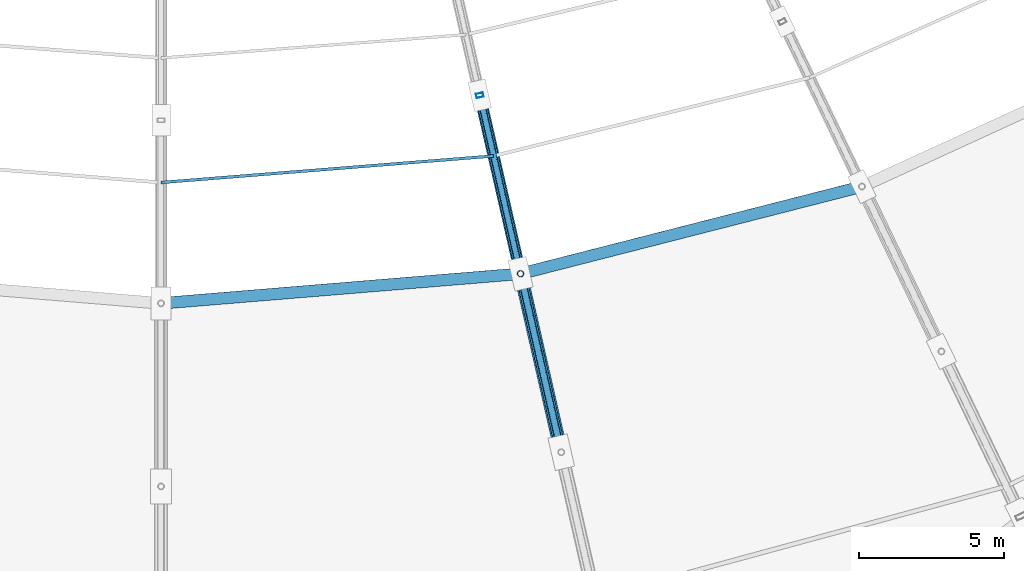
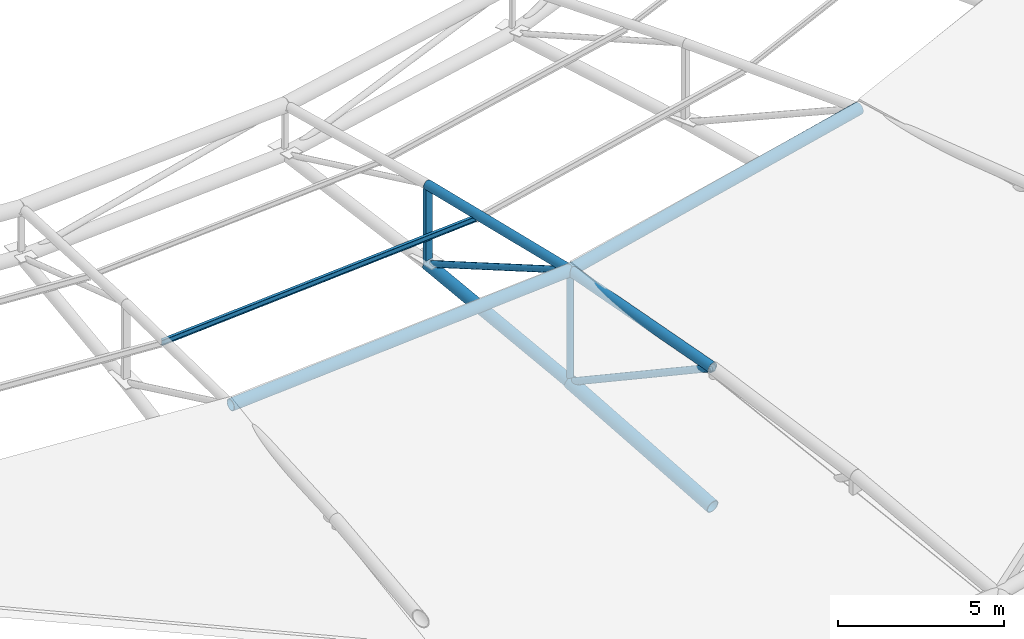
# One storey, part 24 of 108: 11 members.
"""IFC4 building model written with IfcOpenShell, lengths in metres."""

import ifcopenshell
import ifcopenshell.guid

model = None  # the IFC model being written
_history = None  # IfcOwnerHistory: only IFC2X3 demands one
_inside = {}  # id of a spatial element -> (the spatial element, [elements in it])
_under = {}  # id of a project, library or spatial element -> (it, [spatial elements below it])
_declared = {}  # id of a project -> (the project, [libraries it declares])
_typed = {}  # id of a type object -> (the type object, [elements of that type])
_made_of = {}  # id of a material, layer set ... -> (it, [elements and type objects made of it])


def new_model(schema):
    """Start an empty IFC model of exactly this schema.

    Asked for "IFC4X3", IfcOpenShell would pick the latest addendum, in which some entities
    have other attributes; the version numbers below select the first issue.
    IFC2X3 requires an IfcOwnerHistory on every rooted entity: one is made here for all.
    """
    global model, _history
    if schema == "IFC4X3":
        model = ifcopenshell.file(schema_version=(4, 3, 0, 0))
    else:
        model = ifcopenshell.file(schema=schema)
    _inside.clear()
    _under.clear()
    _declared.clear()
    _typed.clear()
    _made_of.clear()
    _history = None
    if model.schema == "IFC2X3":
        org = make("IfcOrganization", Name="unknown")
        user = make(
            "IfcPersonAndOrganization",
            ThePerson=make("IfcPerson", FamilyName="unknown"),
            TheOrganization=org,
        )
        app = make(
            "IfcApplication",
            ApplicationDeveloper=org,
            Version="unknown",
            ApplicationFullName="unknown",
            ApplicationIdentifier="unknown",
        )
        _history = make(
            "IfcOwnerHistory",
            OwningUser=user,
            OwningApplication=app,
            ChangeAction="ADDED",
            CreationDate=0,
        )
    return model


def make(cls, **values):
    """One entity of the class cls with the attributes given. An attribute that is None is left unset."""
    return model.create_entity(
        cls, **{name: value for name, value in values.items() if value is not None}
    )


def rooted(cls, **values):
    """An entity with a GlobalId (a new one), such as an element, a storey or a relation."""
    return make(cls, GlobalId=ifcopenshell.guid.new(), OwnerHistory=_history, **values)


def si_unit(unit_type, name, prefix=None):
    """IfcSIUnit, for example si_unit("LENGTHUNIT", "METRE", prefix="MILLI")."""
    return make("IfcSIUnit", UnitType=unit_type, Prefix=prefix, Name=name)


def assignment(units):
    """IfcUnitAssignment: the units of a project."""
    return None if units is None else make("IfcUnitAssignment", Units=units)


def point(xyz):
    """IfcCartesianPoint."""
    return None if xyz is None else make("IfcCartesianPoint", Coordinates=xyz)


def direction(xyz):
    """IfcDirection."""
    return None if xyz is None else make("IfcDirection", DirectionRatios=xyz)


def frame(location, z_axis=None, x_axis=None):
    """IfcAxis2Placement3D, a coordinate frame: its origin and axes. An axis left out is left unset."""
    return make(
        "IfcAxis2Placement3D",
        Location=point(location),
        Axis=direction(z_axis),
        RefDirection=direction(x_axis),
    )


def frame_2d(location, x_axis=None):
    """IfcAxis2Placement2D, a coordinate frame in the plane: its origin and x axis."""
    return make(
        "IfcAxis2Placement2D", Location=point(location), RefDirection=direction(x_axis)
    )


def origin():
    """The frame at (0, 0, 0) with its axes left unset."""
    return frame((0.0, 0.0, 0.0))


def origin_2d():
    """The frame at (0, 0) in the plane with its x axis left unset."""
    return frame_2d((0.0, 0.0))


def place(relative_to, where):
    """IfcLocalPlacement: puts the frame where relative to a parent placement (None: the world)."""
    return make(
        "IfcLocalPlacement", PlacementRelTo=relative_to, RelativePlacement=where
    )


def context(
    kind, dimensions, precision=None, world=None, true_north=None, identifier=None
):
    """IfcGeometricRepresentationContext, for example the 3D "Model" context."""
    return make(
        "IfcGeometricRepresentationContext",
        ContextIdentifier=identifier,
        ContextType=kind,
        CoordinateSpaceDimension=dimensions,
        Precision=precision,
        WorldCoordinateSystem=world,
        TrueNorth=true_north,
    )


def subcontext(parent, identifier, kind, view, scale=None):
    """IfcGeometricRepresentationSubContext, for example "Body" below "Model"."""
    return make(
        "IfcGeometricRepresentationSubContext",
        ContextIdentifier=identifier,
        ContextType=kind,
        ParentContext=parent,
        TargetScale=scale,
        TargetView=view,
    )


def project(units=None, contexts=None):
    """IfcProject with its units and contexts."""
    return rooted(
        "IfcProject",
        Name="project",
        RepresentationContexts=contexts,
        UnitsInContext=assignment(units),
    )


def spatial(cls, under=None, at=None, **own):
    """A site, building, storey or space (cls), placed at a placement, below another one or the project."""
    s = rooted(cls, ObjectPlacement=at, **own)
    if under is not None:
        _under.setdefault(under.id(), (under, []))[1].append(s)
    return s


def profile(cls, at=None, kind="AREA", **sizes):
    """A parametric profile (cls). Its sizes go by their IFC names, for example OverallWidth=200.0."""
    return make(cls, ProfileType=kind, Position=at, **sizes)


def hollow_rectangle(**sizes):
    """IfcRectangleHollowProfileDef."""
    return profile("IfcRectangleHollowProfileDef", **sizes)


def hollow_circle(**sizes):
    """IfcCircleHollowProfileDef."""
    return profile("IfcCircleHollowProfileDef", **sizes)


def i_section(**sizes):
    """IfcIShapeProfileDef."""
    return profile("IfcIShapeProfileDef", **sizes)


def extrude(swept, where, along, depth):
    """IfcExtrudedAreaSolid: the profile swept, set in the frame where, extruded along a direction by depth."""
    return make(
        "IfcExtrudedAreaSolid",
        SweptArea=swept,
        Position=where,
        ExtrudedDirection=direction(along),
        Depth=depth,
    )


def shape(context_of_items, identifier, shape_type, items):
    """IfcShapeRepresentation: the items that make up one representation, for example the "Body"."""
    return make(
        "IfcShapeRepresentation",
        ContextOfItems=context_of_items,
        RepresentationIdentifier=identifier,
        RepresentationType=shape_type,
        Items=items,
    )


def material(Name=None, Category=None):
    """IfcMaterial."""
    return make("IfcMaterial", Name=Name, Category=Category)


def material_profile(
    of_material, cross_section, Name=None, Category=None, Priority=None
):
    """IfcMaterialProfile: a cross section and its material."""
    return make(
        "IfcMaterialProfile",
        Name=Name,
        Material=of_material,
        Profile=cross_section,
        Priority=Priority,
        Category=Category,
    )


def profile_set(profiles, Name=None, composite=None):
    """IfcMaterialProfileSet."""
    return make(
        "IfcMaterialProfileSet",
        Name=Name,
        MaterialProfiles=profiles,
        CompositeProfile=composite,
    )


def made_of(thing, what):
    """Note that an element or type object is made of a material, layer set ...; save() writes the relation."""
    if what is not None:
        _made_of.setdefault(what.id(), (what, []))[1].append(thing)
    return thing


def type_object(cls, material=None, **own):
    """A type object (cls), such as IfcWallType, which elements share."""
    return made_of(rooted(cls, **own), material)


def element(
    cls,
    number,
    at=None,
    inside=None,
    cuts=None,
    type_object=None,
    material=None,
    context=None,
    identifier="Body",
    shape_type=None,
    held_by="IfcProductDefinitionShape",
    body=None,
    shapes=None,
    **own,
):
    """One element of the class cls, such as IfcWall. Its Tag is "e" and its number.

    at: its placement. inside: the storey or other place that contains it. cuts: it is an
    opening in that element (IfcRelVoidsElement). A single representation is given by context,
    identifier, shape_type and body (its items); several are given by shapes. held_by: the class
    of the entity that holds the representations. save() writes the other relations.
    """
    e = rooted(cls, Tag="e%d" % number, ObjectPlacement=at, **own)
    if body is not None:
        shapes = [shape(context, identifier, shape_type, body)]
    if shapes is not None:
        e.Representation = make(held_by, Representations=shapes)
    if inside is not None:
        _inside.setdefault(inside.id(), (inside, []))[1].append(e)
    if cuts is not None:
        rooted(
            "IfcRelVoidsElement", RelatingBuildingElement=cuts, RelatedOpeningElement=e
        )
    if type_object is not None:
        _typed.setdefault(type_object.id(), (type_object, []))[1].append(e)
    return made_of(e, material)


def aggregate(whole, parts):
    """IfcRelAggregates: a whole, such as a stair, and the parts it consists of."""
    return rooted("IfcRelAggregates", RelatingObject=whole, RelatedObjects=parts)


def save(model, path):
    """Write the relations noted so far, then the file.

    IfcRelAggregates (storeys below a building ...), IfcRelContainedInSpatialStructure (elements
    in a storey), IfcRelDefinesByType, IfcRelAssociatesMaterial and IfcRelDeclares: one each for
    every whole, place, type object, material and project.
    """
    for whole, parts in _under.values():
        aggregate(whole, parts)
    for where, things in _inside.values():
        rooted(
            "IfcRelContainedInSpatialStructure",
            RelatedElements=things,
            RelatingStructure=where,
        )
    for kind, things in _typed.values():
        rooted("IfcRelDefinesByType", RelatedObjects=things, RelatingType=kind)
    for what, things in _made_of.values():
        rooted("IfcRelAssociatesMaterial", RelatedObjects=things, RelatingMaterial=what)
    for by, libraries in _declared.values():
        rooted("IfcRelDeclares", RelatingContext=by, RelatedDefinitions=libraries)
    model.write(path)


model = new_model("IFC4")

# Units and contexts
model_context = context("Model", 3, precision=1e-05, world=origin(), true_north=direction((0.0, 1.0)))
body_context = subcontext(model_context, "Body", "Model", "MODEL_VIEW")
ifc_project = project(units=[si_unit("LENGTHUNIT", "METRE"), si_unit("AREAUNIT", "SQUARE_METRE"), si_unit("VOLUMEUNIT", "CUBIC_METRE"), si_unit("PLANEANGLEUNIT", "RADIAN"), si_unit("MASSUNIT", "GRAM", prefix="KILO")], contexts=[model_context])

# Site, building, storey
site_placement = place(None, origin())
site = spatial("IfcSite", under=ifc_project, at=site_placement, CompositionType="ELEMENT")
building_placement = place(site_placement, origin())
building = spatial("IfcBuilding", under=site, at=building_placement, Name="Zevraka Park Crest Stadium", CompositionType="ELEMENT")
storey_placement = place(building_placement, frame((0.0, 0.0, 29.39990234375)))
storey = spatial("IfcBuildingStorey", under=building, at=storey_placement, Name="RF", CompositionType="ELEMENT", Elevation=29.39990234375)

# Members
ifc_material_1 = material(Name="Steel S355", Category="steel")
ifc_material_profile_1 = material_profile(ifc_material_1, i_section(OverallWidth=0.10009765625, OverallDepth=0.199951171875, WebThickness=0.005615234375, FlangeThickness=0.008544921875, at=origin_2d()), Name="IPE 200")
ifc_profile_set_1 = profile_set([ifc_material_profile_1], Name="Steel S355")
member_type_1 = type_object("IfcMemberType", Name="PR03", PredefinedType="PURLIN", material=ifc_profile_set_1)
member_1_placement = place(storey_placement, frame((112.0, 55.55810546875, 9.173095703125), z_axis=(0.996828716776, 0.079577065858, 0.0), x_axis=(-0.079577065858, 0.996828716776, 0.0)))
element("IfcMember", 1, at=member_1_placement, inside=storey, type_object=member_type_1, Name="Canopy Roof Purlin PR03 INNER-22-1", PredefinedType="PURLIN", context=body_context, shape_type="SweptSolid", body=[
    extrude(i_section(OverallWidth=0.10009765625, OverallDepth=0.199951171875, WebThickness=0.005615234375, FlangeThickness=0.008544921875, at=origin_2d()), origin(), (0.0, 0.0, 1.0), 11.4833984375),
])
ifc_material_2 = material(Name="Steel S355", Category="steel")
ifc_material_profile_2 = material_profile(ifc_material_2, hollow_circle(Radius=0.228515625, WallThickness=0.02490234375, at=origin_2d()), Name="CHS 457.0x25")
ifc_profile_set_2 = profile_set([ifc_material_profile_2], Name="Steel S355")
member_type_2 = type_object("IfcMemberType", Name="TC02", PredefinedType="CHORD", material=ifc_profile_set_2)
member_2_placement = place(storey_placement, frame((125.77392578125, 46.27587890625, 3.9501953125), z_axis=(-0.217577220744, 0.953292880439, 0.209506174416), x_axis=(-0.974929167571, -0.222515433667, 0.0)))
element("IfcMember", 2, at=member_2_placement, inside=storey, type_object=member_type_2, Name="Roof Truss Bottom Chord TC02 T23-5", PredefinedType="CHORD", context=body_context, shape_type="SweptSolid", body=[
    extrude(hollow_circle(Radius=0.228515625, WallThickness=0.02490234375, at=origin_2d()), origin(), (0.0, 0.0, 1.0), 6.443115234375),
])
ifc_material_3 = material(Name="Steel S355", Category="steel")
ifc_material_profile_3 = material_profile(ifc_material_3, hollow_circle(Radius=0.203125, WallThickness=0.02001953125, at=origin_2d()), Name="CHS 406.4x20")
ifc_profile_set_3 = profile_set([ifc_material_profile_3], Name="Steel S355")
member_type_3 = type_object("IfcMemberType", Name="TC03", PredefinedType="CHORD", material=ifc_profile_set_3)
member_3_placement = place(storey_placement, frame((124.3720703125, 52.41796875, 5.300048828125), z_axis=(-0.219235037488, 0.960389182158, 0.172013421369), x_axis=(-0.974920760158, -0.222552266698, 0.0)))
element("IfcMember", 3, at=member_3_placement, inside=storey, type_object=member_type_3, Name="Roof Truss Bottom Chord TC03 T23-6", PredefinedType="CHORD", context=body_context, shape_type="SweptSolid", body=[
    extrude(hollow_circle(Radius=0.203125, WallThickness=0.02001953125, at=origin_2d()), origin(), (0.0, 0.0, 1.0), 6.3955078125),
])
member_4_placement = place(storey_placement, frame((112.0, 51.39990234375, 9.400146484375), z_axis=(0.996631482992, 0.082010286607, 0.0), x_axis=(-0.082010286607, 0.996631482992, 0.0)))
element("IfcMember", 4, at=member_4_placement, inside=storey, type_object=member_type_3, Name="Roof Canopy Arch Crown Ring Chord TC03 22", PredefinedType="CHORD", context=body_context, shape_type="SweptSolid", body=[
    extrude(hollow_circle(Radius=0.203125, WallThickness=0.02001953125, at=origin_2d()), origin(), (0.0, 0.0, 1.0), 12.413818359375),
])
member_5_placement = place(storey_placement, frame((124.3720703125, 52.41796875, 9.400146484375), z_axis=(0.968869652629, 0.247571396197, 0.0), x_axis=(-0.247571396197, 0.968869652629, 0.0)))
element("IfcMember", 5, at=member_5_placement, inside=storey, type_object=member_type_3, Name="Roof Canopy Arch Crown Ring Chord TC03 23", PredefinedType="CHORD", context=body_context, shape_type="SweptSolid", body=[
    extrude(hollow_circle(Radius=0.203125, WallThickness=0.02001953125, at=origin_2d()), origin(), (0.0, 0.0, 1.0), 12.129638671875),
])
ifc_material_4 = material(Name="Steel S355", Category="steel")
ifc_material_profile_4 = material_profile(ifc_material_4, hollow_circle(Radius=0.161865234375, WallThickness=0.01611328125, at=origin_2d()), Name="CHS 323.9x16")
ifc_profile_set_4 = profile_set([ifc_material_profile_4], Name="Steel S355")
member_type_4 = type_object("IfcMemberType", Name="TC04", PredefinedType="CHORD", material=ifc_profile_set_4)
member_6_placement = place(storey_placement, frame((124.3720703125, 52.41796875, 9.400146484375), z_axis=(-0.22252418173, 0.974797730099, -0.015886281475), x_axis=(-0.974920760158, -0.222552266698, 0.0)))
element("IfcMember", 6, at=member_6_placement, inside=storey, type_object=member_type_4, Name="Roof Truss Top Chord TC04 T23-6", PredefinedType="CHORD", context=body_context, shape_type="SweptSolid", body=[
    extrude(hollow_circle(Radius=0.161865234375, WallThickness=0.01611328125, at=origin_2d()), origin(), (0.0, 0.0, 1.0), 6.30078125),
])
ifc_material_5 = material(Name="Steel S355", Category="steel")
ifc_material_profile_5 = material_profile(ifc_material_5, hollow_circle(Radius=0.177734375, WallThickness=0.01611328125, at=origin_2d()), Name="CHS 355.6x16")
ifc_profile_set_5 = profile_set([ifc_material_profile_5], Name="Steel S355")
member_type_5 = type_object("IfcMemberType", Name="TC05", PredefinedType="CHORD", material=ifc_profile_set_5)
member_7_placement = place(storey_placement, frame((125.77392578125, 46.27587890625, 9.050048828125), z_axis=(-0.222172651746, 0.973427302791, 0.055485124104), x_axis=(-0.974929167571, -0.222515433667, 0.0)))
element("IfcMember", 7, at=member_7_placement, inside=storey, type_object=member_type_5, Name="Roof Truss Top Chord TC05 T23-5", PredefinedType="CHORD", context=body_context, shape_type="SweptSolid", body=[
    extrude(hollow_circle(Radius=0.177734375, WallThickness=0.01611328125, at=origin_2d()), origin(), (0.0, 0.0, 1.0), 6.309814453125),
])
ifc_material_6 = material(Name="Steel S355", Category="steel")
ifc_material_profile_6 = material_profile(ifc_material_6, hollow_circle(Radius=0.109619140625, WallThickness=0.010009765625, at=origin_2d()), Name="CHS 219.1x10")
ifc_profile_set_6 = profile_set([ifc_material_profile_6], Name="Steel S355")
member_type_6 = type_object("IfcMemberType", Name="WB02", PredefinedType="BRACE", material=ifc_profile_set_6)
member_8_placement = place(storey_placement, frame((124.3720703125, 52.41796875, 5.300048828125), z_axis=(0.0, 0.0, 1.0), x_axis=(-0.222569549971, 0.974916814618, 0.0)))
element("IfcMember", 8, at=member_8_placement, inside=storey, type_object=member_type_6, Name="Roof Truss Web Post WB02 T23-5", PredefinedType="BRACE", context=body_context, shape_type="SweptSolid", body=[
    extrude(hollow_circle(Radius=0.109619140625, WallThickness=0.010009765625, at=origin_2d()), origin(), (0.0, 0.0, 1.0), 4.10009765625),
])
member_9_placement = place(storey_placement, frame((122.969970703125, 58.56005859375, 6.400146484375), z_axis=(0.200934193488, -0.880219822352, 0.429928498969), x_axis=(0.974920760158, 0.222552266698, 0.0)))
element("IfcMember", 9, at=member_9_placement, inside=storey, type_object=member_type_6, Name="Roof Truss Web Diagonal WB02 T23-6", PredefinedType="BRACE", context=body_context, shape_type="SweptSolid", body=[
    extrude(hollow_circle(Radius=0.109619140625, WallThickness=0.010009765625, at=origin_2d()), origin(), (0.0, 0.0, 1.0), 6.977783203125),
])
ifc_material_7 = material(Name="Steel S355", Category="steel")
ifc_material_profile_7 = material_profile(ifc_material_7, hollow_rectangle(XDim=0.14990234375, YDim=0.25, WallThickness=0.010009765625, at=origin_2d()), Name="RHS 250x150x10")
ifc_profile_set_7 = profile_set([ifc_material_profile_7], Name="Steel S355")
member_type_7 = type_object("IfcMemberType", Name="WB04", PredefinedType="BRACE", material=ifc_profile_set_7)
member_10_placement = place(storey_placement, frame((122.969970703125, 58.56005859375, 6.400146484375), z_axis=(0.0, 0.0, 1.0), x_axis=(-0.222569549971, 0.974916814618, 0.0)))
element("IfcMember", 10, at=member_10_placement, inside=storey, type_object=member_type_7, Name="Roof Truss Web Post WB04 T23-6", PredefinedType="BRACE", context=body_context, shape_type="SweptSolid", body=[
    extrude(hollow_rectangle(XDim=0.14990234375, YDim=0.25, WallThickness=0.010009765625, at=origin_2d()), origin(), (0.0, 0.0, 1.0), 2.89990234375),
])
ifc_material_8 = material(Name="Steel S355", Category="steel")
ifc_material_profile_8 = material_profile(ifc_material_8, hollow_circle(Radius=0.122314453125, WallThickness=0.012451171875, at=origin_2d()), Name="CHS 244.5x12.5")
ifc_profile_set_8 = profile_set([ifc_material_profile_8], Name="Steel S355")
member_type_8 = type_object("IfcMemberType", Name="WB07", PredefinedType="BRACE", material=ifc_profile_set_8)
member_11_placement = place(storey_placement, frame((124.3720703125, 52.41796875, 5.300048828125), z_axis=(0.19120622273, -0.837750984228, 0.51148164074), x_axis=(0.974929167571, 0.222515433667, 0.0)))
element("IfcMember", 11, at=member_11_placement, inside=storey, type_object=member_type_8, Name="Roof Truss Web Diagonal WB07 T23-5", PredefinedType="BRACE", context=body_context, shape_type="SweptSolid", body=[
    extrude(hollow_circle(Radius=0.122314453125, WallThickness=0.012451171875, at=origin_2d()), origin(), (0.0, 0.0, 1.0), 7.33154296875),
])

save(model, "model.ifc")
